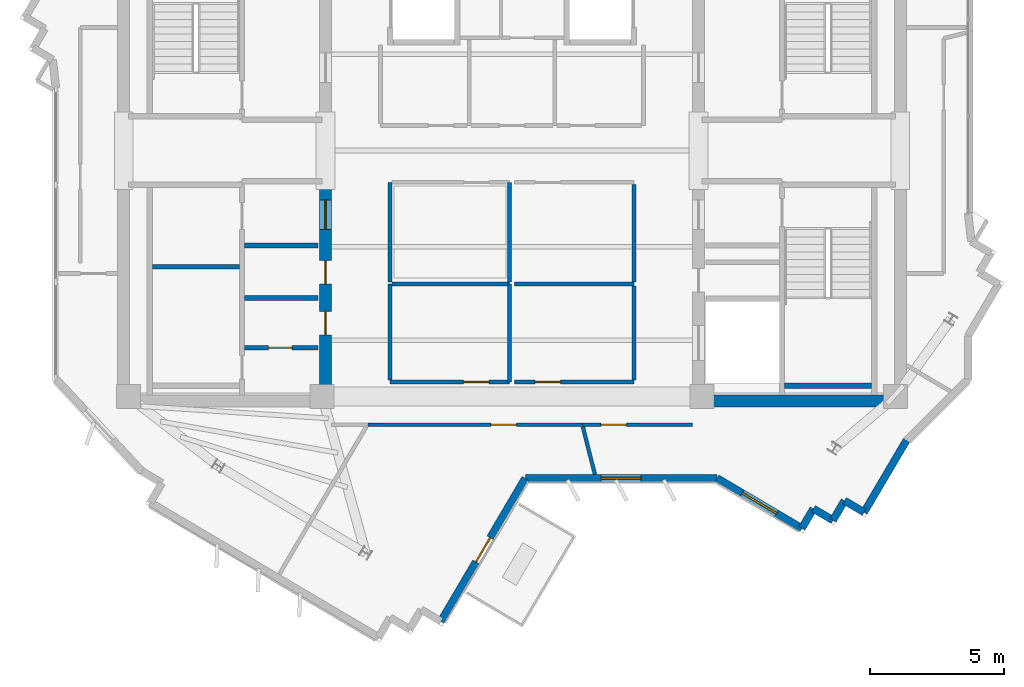
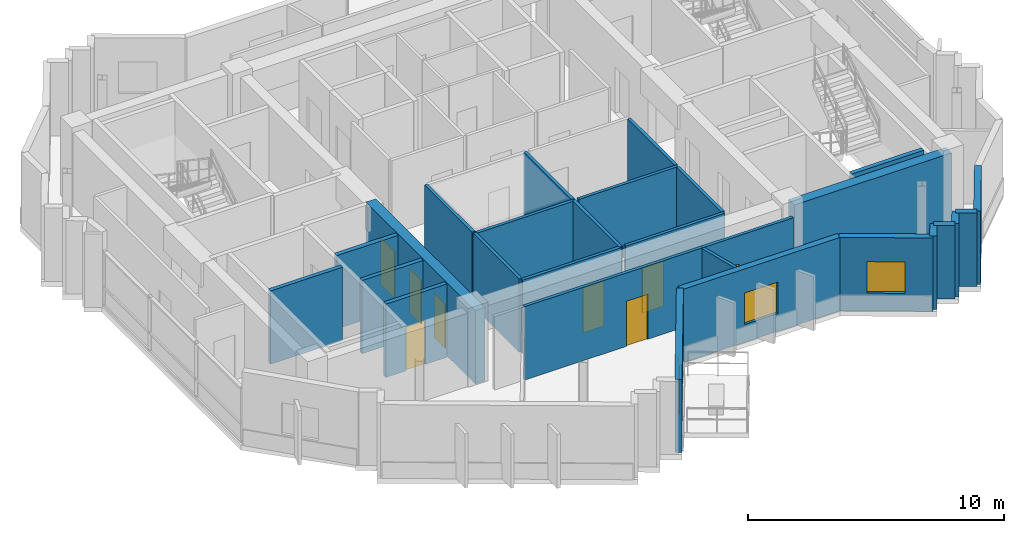
# One storey, part 4 of 10: 28 walls, 9 doors, 2 windows, 11 openings.
"""IFC4 building model written with IfcOpenShell, lengths in metres."""

from ifc_helpers import new_model, si_unit, direction, frame, frame_2d, origin, place, context, subcontext, project, spatial, rectangle, extrude, source, transform, mapped, material, layer, layer_set, type_object, element, fill, save


model = new_model("IFC4")

# Units and contexts
model_context = context("Model", 3, precision=1e-05, world=origin(), true_north=direction((0.0, 1.0)))
body_context = subcontext(model_context, "Body", "Model", "MODEL_VIEW")
ifc_project = project(units=[si_unit("LENGTHUNIT", "METRE"), si_unit("AREAUNIT", "SQUARE_METRE"), si_unit("VOLUMEUNIT", "CUBIC_METRE"), si_unit("PLANEANGLEUNIT", "RADIAN"), si_unit("MASSUNIT", "GRAM", prefix="KILO")], contexts=[model_context])

# Site, building, storey
site_placement = place(None, origin())
site = spatial("IfcSite", under=ifc_project, at=site_placement, CompositionType="ELEMENT")
building_placement = place(site_placement, origin())
building = spatial("IfcBuilding", under=site, at=building_placement, Name="Zahravan Cultural Tower", CompositionType="ELEMENT")
storey_placement = place(building_placement, frame((0.0, 0.0, 346.050048828125)))
storey = spatial("IfcBuildingStorey", under=building, at=storey_placement, Name="L84", CompositionType="ELEMENT", Elevation=346.050048828125)

# Wall, openings, doors
ifc_material_1 = material(Name="Concrete C50/60", Category="concrete")
ifc_layer_1 = layer(ifc_material_1, 0.449951171875)
ifc_layer_set_1 = layer_set([ifc_layer_1], Name="Concrete C50/60")
wall_type_1 = type_object("IfcWallType", Name="CW-SHEAR-450-C50", PredefinedType="SHEAR", material=ifc_layer_set_1)
wall_1_placement = place(storey_placement, frame((29.02490234375, 17.39990234375, 0.0), z_axis=(0.0, 0.0, 1.0), x_axis=(0.0, 1.0, 0.0)))
wall_1 = element("IfcWall", 1, at=wall_1_placement, inside=storey, type_object=wall_type_1, Name="L84 Core Shear Wall CW-W-ES-L84", PredefinedType="SHEAR", context=body_context, shape_type="SweptSolid", body=[
    extrude(rectangle(XDim=8.550048828125, YDim=0.449951171875, at=frame_2d((4.27490234375, 0.0))), origin(), (0.0, 0.0, 1.0), 3.5),
])
opening_1_placement = place(wall_1_placement, frame((6.64990234375, 0.0, 0.0)))
opening_1 = element("IfcOpeningElement", 2, at=opening_1_placement, cuts=wall_1, Name="Opening D-L84-08", PredefinedType="OPENING", context=body_context, shape_type="SweptSolid", body=[
    extrude(rectangle(XDim=1.10009765625, YDim=2.199951171875, at=frame_2d((0.550048828125, 1.10009765625))), frame((0.0, 0.23486328125, 0.0), z_axis=(0.0, -1.0, 0.0), x_axis=(1.0, 0.0, 0.0)), (0.0, 0.0, 1.0), 0.469970703125),
])
opening_2_placement = place(wall_1_placement, frame((2.699951171875, 0.0, 0.0)))
opening_2 = element("IfcOpeningElement", 3, at=opening_2_placement, cuts=wall_1, Name="Opening D-L84-11", PredefinedType="OPENING", context=body_context, shape_type="SweptSolid", body=[
    extrude(rectangle(XDim=0.8798828125, YDim=2.10009765625, at=frame_2d((0.43994140625, 1.050048828125))), frame((0.0, 0.23486328125, 0.0), z_axis=(0.0, -1.0, 0.0), x_axis=(1.0, 0.0, 0.0)), (0.0, 0.0, 1.0), 0.469970703125),
])
opening_3_placement = place(wall_1_placement, frame((4.60009765625, 0.0, 0.0)))
opening_3 = element("IfcOpeningElement", 4, at=opening_3_placement, cuts=wall_1, Name="Opening D-L84-12", PredefinedType="OPENING", context=body_context, shape_type="SweptSolid", body=[
    extrude(rectangle(XDim=0.8798828125, YDim=2.10009765625, at=frame_2d((0.43994140625, 1.050048828125))), frame((0.0, 0.23486328125, 0.0), z_axis=(0.0, -1.0, 0.0), x_axis=(1.0, 0.0, 0.0)), (0.0, 0.0, 1.0), 0.469970703125),
])
ifc_material_2 = material(Name="Steel ASTM A572 Grade 50", Category="steel")
door_type_1 = type_object("IfcDoorType", Name="DR-LOBBY-1100", OperationType="NOTDEFINED", PredefinedType="DOOR", material=ifc_material_2)
shared_shape_1 = source(origin(), body_context, "Body", "SweptSolid", [
    extrude(rectangle(XDim=1.10009765625, YDim=2.199951171875, at=frame_2d((0.550048828125, 1.10009765625))), frame((0.0, 0.02490234375, 0.0), z_axis=(0.0, -1.0, 0.0), x_axis=(1.0, 0.0, 0.0)), (0.0, 0.0, 1.0), 0.050048828125),
])
door_1_placement = place(opening_1_placement, origin())
door_1 = element("IfcDoor", 5, at=door_1_placement, inside=storey, type_object=door_type_1, Name="L84 Door D-L84-08", OperationType="SINGLE_SWING_RIGHT", OverallHeight=2.199951171875, OverallWidth=1.10009765625, PredefinedType="DOOR", context=body_context, shape_type="MappedRepresentation", body=[
    mapped(shared_shape_1, transform((0.0, 0.0, 0.0), x_axis=(1.0, 0.0, 0.0), y_axis=(0.0, 1.0, 0.0), z_axis=(0.0, 0.0, 1.0), scale=1.0)),
])
fill(opening_1, door_1)
door_type_2 = type_object("IfcDoorType", Name="DR-SVC-880", OperationType="NOTDEFINED", PredefinedType="DOOR", material=ifc_material_2)
shared_shape_2 = source(origin(), body_context, "Body", "SweptSolid", [
    extrude(rectangle(XDim=0.8798828125, YDim=2.10009765625, at=frame_2d((0.43994140625, 1.050048828125))), frame((0.0, 0.02490234375, 0.0), z_axis=(0.0, -1.0, 0.0), x_axis=(1.0, 0.0, 0.0)), (0.0, 0.0, 1.0), 0.050048828125),
])
door_2_placement = place(opening_2_placement, origin())
door_2 = element("IfcDoor", 6, at=door_2_placement, inside=storey, type_object=door_type_2, Name="L84 Door D-L84-11", OperationType="SINGLE_SWING_LEFT", OverallHeight=2.10009765625, OverallWidth=0.8798828125, PredefinedType="DOOR", context=body_context, shape_type="MappedRepresentation", body=[
    mapped(shared_shape_2, transform((0.0, 0.0, 0.0), x_axis=(1.0, 0.0, 0.0), y_axis=(0.0, 1.0, 0.0), z_axis=(0.0, 0.0, 1.0), scale=1.0)),
])
fill(opening_2, door_2)
door_3_placement = place(opening_3_placement, origin())
door_3 = element("IfcDoor", 7, at=door_3_placement, inside=storey, type_object=door_type_2, Name="L84 Door D-L84-12", OperationType="SINGLE_SWING_RIGHT", OverallHeight=2.10009765625, OverallWidth=0.8798828125, PredefinedType="DOOR", context=body_context, shape_type="MappedRepresentation", body=[
    mapped(shared_shape_2, transform((0.0, 0.0, 0.0), x_axis=(1.0, 0.0, 0.0), y_axis=(0.0, 1.0, 0.0), z_axis=(0.0, 0.0, 1.0), scale=1.0)),
])
fill(opening_3, door_3)

# Wall, opening, window
ifc_material_3 = material(Name="Precast concrete C40/50", Category="concrete")
ifc_layer_2 = layer(ifc_material_3, 0.280029296875)
ifc_layer_set_2 = layer_set([ifc_layer_2], Name="Precast concrete C40/50")
wall_type_2 = type_object("IfcWallType", Name="EW-TC-280", PredefinedType="SOLIDWALL", material=ifc_layer_set_2)
wall_2_placement = place(storey_placement, frame((46.841552734375, 12.867431640625, 0.0), z_axis=(0.0, 0.0, 1.0), x_axis=(-0.861166561994, 0.508322882137, 0.0)))
wall_2 = element("IfcWall", 8, at=wall_2_placement, inside=storey, type_object=wall_type_2, Name="L84 Exterior Masonry Frame Wall 22", PredefinedType="SOLIDWALL", context=body_context, shape_type="SweptSolid", body=[
    extrude(rectangle(XDim=3.683837890625, YDim=0.280029296875, at=frame_2d((1.841796875, 0.0))), origin(), (0.0, 0.0, 1.0), 3.5),
])
opening_4_placement = place(wall_2_placement, frame((1.092041015625, 0.0, 0.85009765625)))
opening_4 = element("IfcOpeningElement", 9, at=opening_4_placement, cuts=wall_2, Name="Opening WN-03", PredefinedType="OPENING", context=body_context, shape_type="SweptSolid", body=[
    extrude(rectangle(XDim=1.5, YDim=1.5, at=frame_2d((0.75, 0.75))), frame((0.0, 0.14990234375, 0.0), z_axis=(0.0, -1.0, 0.0), x_axis=(1.0, 0.0, 0.0)), (0.0, 0.0, 1.0), 0.300048828125),
])
ifc_material_4 = material(Name="Low-E solar-control double glazing", Category="glass")
window_type = type_object("IfcWindowType", Name="WN-REC-1500X1500", PartitioningType="SINGLE_PANEL", PredefinedType="WINDOW", material=ifc_material_4)
shared_shape_3 = source(origin(), body_context, "Body", "SweptSolid", [
    extrude(rectangle(XDim=1.5, YDim=1.5, at=frame_2d((0.75, 0.75))), frame((0.0, 0.030029296875, 0.0), z_axis=(0.0, -1.0, 0.0), x_axis=(1.0, 0.0, 0.0)), (0.0, 0.0, 1.0), 0.06005859375),
])
window_1_placement = place(opening_4_placement, origin())
window_1 = element("IfcWindow", 10, at=window_1_placement, inside=storey, type_object=window_type, Name="L84 Recessed Solar Window 04", OverallHeight=1.5, OverallWidth=1.5, PartitioningType="SINGLE_PANEL", PredefinedType="WINDOW", context=body_context, shape_type="MappedRepresentation", body=[
    mapped(shared_shape_3, transform((0.0, 0.0, 0.0), x_axis=(1.0, 0.0, 0.0), y_axis=(0.0, 1.0, 0.0), z_axis=(0.0, 0.0, 1.0), scale=1.0)),
])
fill(opening_4, window_1)

wall_3_placement = place(storey_placement, frame((43.669189453125, 14.739990234375, 0.0), z_axis=(0.0, 0.0, 1.0), x_axis=(-1.0, 0.0, 0.0)))
wall_3 = element("IfcWall", 11, at=wall_3_placement, inside=storey, type_object=wall_type_2, Name="L84 Exterior Masonry Frame Wall 23", PredefinedType="SOLIDWALL", context=body_context, shape_type="SweptSolid", body=[
    extrude(rectangle(XDim=7.171875, YDim=0.280029296875, at=frame_2d((3.5859375, 0.0))), origin(), (0.0, 0.0, 1.0), 3.5),
])
opening_5_placement = place(wall_3_placement, frame((2.8359375, 0.0, 0.85009765625)))
opening_5 = element("IfcOpeningElement", 12, at=opening_5_placement, cuts=wall_3, Name="Opening WN-03", PredefinedType="OPENING", context=body_context, shape_type="SweptSolid", body=[
    extrude(rectangle(XDim=1.5, YDim=1.5, at=frame_2d((0.75, 0.75))), frame((0.0, 0.14990234375, 0.0), z_axis=(0.0, -1.0, 0.0), x_axis=(1.0, 0.0, 0.0)), (0.0, 0.0, 1.0), 0.300048828125),
])
window_2_placement = place(opening_5_placement, origin())
window_2 = element("IfcWindow", 13, at=window_2_placement, inside=storey, type_object=window_type, Name="L84 Recessed Solar Window 05", OverallHeight=1.5, OverallWidth=1.5, PartitioningType="SINGLE_PANEL", PredefinedType="WINDOW", context=body_context, shape_type="MappedRepresentation", body=[
    mapped(shared_shape_3, transform((0.0, 0.0, 0.0), x_axis=(1.0, 0.0, 0.0), y_axis=(0.0, 1.0, 0.0), z_axis=(0.0, 0.0, 1.0), scale=1.0)),
])
fill(opening_5, window_2)

# Wall, opening, door
wall_4_placement = place(storey_placement, frame((36.497314453125, 14.739990234375, 0.0), z_axis=(0.0, 0.0, 1.0), x_axis=(-0.508266003384, -0.861200133421, 0.0)))
wall_4 = element("IfcWall", 14, at=wall_4_placement, inside=storey, type_object=wall_type_2, Name="L84 Exterior Masonry Frame Wall 24", PredefinedType="SOLIDWALL", context=body_context, shape_type="SweptSolid", body=[
    extrude(rectangle(XDim=6.214599609375, YDim=0.280029296875, at=frame_2d((3.107421875, 0.0))), origin(), (0.0, 0.0, 1.0), 3.5),
])
opening_6_placement = place(wall_4_placement, frame((2.58203125, 0.0, 0.0)))
opening_6 = element("IfcOpeningElement", 15, at=opening_6_placement, cuts=wall_4, Name="Opening D-L84-TR-SW", PredefinedType="OPENING", context=body_context, shape_type="SweptSolid", body=[
    extrude(rectangle(XDim=1.050048828125, YDim=2.14990234375, at=frame_2d((0.52490234375, 1.074951171875))), frame((0.0, 0.14990234375, 0.0), z_axis=(0.0, -1.0, 0.0), x_axis=(1.0, 0.0, 0.0)), (0.0, 0.0, 1.0), 0.300048828125),
])
ifc_material_5 = material(Name="Anodised bronze-aluminium mullion", Category="aluminium")
door_type_3 = type_object("IfcDoorType", Name="DR-TERR-1050", OperationType="NOTDEFINED", PredefinedType="DOOR", material=ifc_material_5)
shared_shape_4 = source(origin(), body_context, "Body", "SweptSolid", [
    extrude(rectangle(XDim=1.050048828125, YDim=2.14990234375, at=frame_2d((0.52490234375, 1.074951171875))), frame((0.0, 0.02490234375, 0.0), z_axis=(0.0, -1.0, 0.0), x_axis=(1.0, 0.0, 0.0)), (0.0, 0.0, 1.0), 0.050048828125),
])
door_4_placement = place(opening_6_placement, origin())
door_4 = element("IfcDoor", 16, at=door_4_placement, inside=storey, type_object=door_type_3, Name="L84 Terrace Access Door SW", OperationType="SINGLE_SWING_LEFT", OverallHeight=2.14990234375, OverallWidth=1.050048828125, PredefinedType="DOOR", context=body_context, shape_type="MappedRepresentation", body=[
    mapped(shared_shape_4, transform((0.0, 0.0, 0.0), x_axis=(1.0, 0.0, 0.0), y_axis=(0.0, 1.0, 0.0), z_axis=(0.0, 0.0, 1.0), scale=1.0)),
])
fill(opening_6, door_4)

ifc_material_6 = material(Name="Gypsum plasterboard partition")
ifc_layer_3 = layer(ifc_material_6, 0.179931640625)
ifc_layer_set_3 = layer_set([ifc_layer_3], Name="Gypsum plasterboard partition")
wall_type_3 = type_object("IfcWallType", Name="W-COMP-180", PredefinedType="PARTITIONING", material=ifc_layer_set_3)
wall_5_placement = place(storey_placement, frame((26.0, 19.6201171875, 0.0), z_axis=(0.0, 0.0, 1.0), x_axis=(1.0, 0.0, 0.0)))
wall_5 = element("IfcWall", 17, at=wall_5_placement, inside=storey, type_object=wall_type_3, Name="L84 Interior Wall 027", PredefinedType="PARTITIONING", context=body_context, shape_type="SweptSolid", body=[
    extrude(rectangle(XDim=2.75, YDim=0.179931640625, at=frame_2d((1.375, 0.0))), origin(), (0.0, 0.0, 1.0), 3.5),
])
opening_7_placement = place(wall_5_placement, frame((0.89990234375, 0.0, 0.0)))
opening_7 = element("IfcOpeningElement", 18, at=opening_7_placement, cuts=wall_5, Name="Opening D-L84-10", PredefinedType="OPENING", context=body_context, shape_type="SweptSolid", body=[
    extrude(rectangle(XDim=0.8798828125, YDim=2.10009765625, at=frame_2d((0.43994140625, 1.050048828125))), frame((0.0, 0.099853515625, 0.0), z_axis=(0.0, -1.0, 0.0), x_axis=(1.0, 0.0, 0.0)), (0.0, 0.0, 1.0), 0.199951171875),
])
door_5_placement = place(opening_7_placement, origin())
door_5 = element("IfcDoor", 19, at=door_5_placement, inside=storey, type_object=door_type_2, Name="L84 Door D-L84-10", OperationType="SINGLE_SWING_RIGHT", OverallHeight=2.10009765625, OverallWidth=0.8798828125, PredefinedType="DOOR", context=body_context, shape_type="MappedRepresentation", body=[
    mapped(shared_shape_2, transform((0.0, 0.0, 0.0), x_axis=(1.0, 0.0, 0.0), y_axis=(0.0, 1.0, 0.0), z_axis=(0.0, 0.0, 1.0), scale=1.0)),
])
fill(opening_7, door_5)

ifc_layer_4 = layer(ifc_material_6, 0.139892578125)
ifc_layer_set_4 = layer_set([ifc_layer_4], Name="Gypsum plasterboard partition")
wall_type_4 = type_object("IfcWallType", Name="W-PART-140", PredefinedType="PARTITIONING", material=ifc_layer_set_4)
wall_6_placement = place(storey_placement, frame((35.909912109375, 18.340087890625, 0.0), z_axis=(0.0, 0.0, 1.0), x_axis=(-1.0, 0.0, 0.0)))
wall_6 = element("IfcWall", 20, at=wall_6_placement, inside=storey, type_object=wall_type_4, Name="L84 Interior Wall 058", PredefinedType="PARTITIONING", context=body_context, shape_type="SweptSolid", body=[
    extrude(rectangle(XDim=4.469970703125, YDim=0.139892578125, at=frame_2d((2.23486328125, 0.0))), origin(), (0.0, 0.0, 1.0), 3.5),
])
opening_8_placement = place(wall_6_placement, frame((0.7744140625, 0.0, 0.0)))
opening_8 = element("IfcOpeningElement", 21, at=opening_8_placement, cuts=wall_6, Name="Opening D-L84-14", PredefinedType="OPENING", context=body_context, shape_type="SweptSolid", body=[
    extrude(rectangle(XDim=0.949951171875, YDim=2.14990234375, at=frame_2d((0.47509765625, 1.074951171875))), frame((0.0, 0.079833984375, 0.0), z_axis=(0.0, -1.0, 0.0), x_axis=(1.0, 0.0, 0.0)), (0.0, 0.0, 1.0), 0.159912109375),
])
door_type_4 = type_object("IfcDoorType", Name="DR-ROOM-950", OperationType="NOTDEFINED", PredefinedType="DOOR", material=ifc_material_5)
shared_shape_5 = source(origin(), body_context, "Body", "SweptSolid", [
    extrude(rectangle(XDim=0.949951171875, YDim=2.14990234375, at=frame_2d((0.47509765625, 1.074951171875))), frame((0.0, 0.02490234375, 0.0), z_axis=(0.0, -1.0, 0.0), x_axis=(1.0, 0.0, 0.0)), (0.0, 0.0, 1.0), 0.050048828125),
])
door_6_placement = place(opening_8_placement, origin())
door_6 = element("IfcDoor", 22, at=door_6_placement, inside=storey, type_object=door_type_4, Name="L84 Door D-L84-14", OperationType="SINGLE_SWING_RIGHT", OverallHeight=2.14990234375, OverallWidth=0.949951171875, PredefinedType="DOOR", context=body_context, shape_type="MappedRepresentation", body=[
    mapped(shared_shape_5, transform((0.0, 0.0, 0.0), x_axis=(1.0, 0.0, 0.0), y_axis=(0.0, 1.0, 0.0), z_axis=(0.0, 0.0, 1.0), scale=1.0)),
])
fill(opening_8, door_6)

wall_7_placement = place(storey_placement, frame((40.56005859375, 18.340087890625, 0.0), z_axis=(0.0, 0.0, 1.0), x_axis=(-1.0, 0.0, 0.0)))
wall_7 = element("IfcWall", 23, at=wall_7_placement, inside=storey, type_object=wall_type_4, Name="L84 Interior Wall 062", PredefinedType="PARTITIONING", context=body_context, shape_type="SweptSolid", body=[
    extrude(rectangle(XDim=4.469970703125, YDim=0.139892578125, at=frame_2d((2.23486328125, 0.0))), origin(), (0.0, 0.0, 1.0), 3.5),
])
opening_9_placement = place(wall_7_placement, frame((2.74560546875, 0.0, 0.0)))
opening_9 = element("IfcOpeningElement", 24, at=opening_9_placement, cuts=wall_7, Name="Opening D-L84-16", PredefinedType="OPENING", context=body_context, shape_type="SweptSolid", body=[
    extrude(rectangle(XDim=0.949951171875, YDim=2.14990234375, at=frame_2d((0.47509765625, 1.074951171875))), frame((0.0, 0.079833984375, 0.0), z_axis=(0.0, -1.0, 0.0), x_axis=(1.0, 0.0, 0.0)), (0.0, 0.0, 1.0), 0.159912109375),
])
door_7_placement = place(opening_9_placement, origin())
door_7 = element("IfcDoor", 25, at=door_7_placement, inside=storey, type_object=door_type_4, Name="L84 Door D-L84-16", OperationType="SINGLE_SWING_RIGHT", OverallHeight=2.14990234375, OverallWidth=0.949951171875, PredefinedType="DOOR", context=body_context, shape_type="MappedRepresentation", body=[
    mapped(shared_shape_5, transform((0.0, 0.0, 0.0), x_axis=(1.0, 0.0, 0.0), y_axis=(0.0, 1.0, 0.0), z_axis=(0.0, 0.0, 1.0), scale=1.0)),
])
fill(opening_9, door_7)

wall_8_placement = place(storey_placement, frame((38.632080078125, 16.739990234375, 0.0), z_axis=(0.0, 0.0, 1.0), x_axis=(1.0, 0.0, 0.0)))
wall_8 = element("IfcWall", 26, at=wall_8_placement, inside=storey, type_object=wall_type_4, Name="L84 Interior Wall 076", PredefinedType="PARTITIONING", context=body_context, shape_type="SweptSolid", body=[
    extrude(rectangle(XDim=4.112060546875, YDim=0.139892578125, at=frame_2d((2.05615234375, 0.0))), origin(), (0.0, 0.0, 1.0), 3.5),
])
opening_10_placement = place(wall_8_placement, frame((0.695556640625, 0.0, 0.0)))
opening_10 = element("IfcOpeningElement", 27, at=opening_10_placement, cuts=wall_8, Name="Opening D-L84-27", PredefinedType="OPENING", context=body_context, shape_type="SweptSolid", body=[
    extrude(rectangle(XDim=0.949951171875, YDim=2.14990234375, at=frame_2d((0.47509765625, 1.074951171875))), frame((0.0, 0.079833984375, 0.0), z_axis=(0.0, -1.0, 0.0), x_axis=(1.0, 0.0, 0.0)), (0.0, 0.0, 1.0), 0.159912109375),
])
door_8_placement = place(opening_10_placement, origin())
door_8 = element("IfcDoor", 28, at=door_8_placement, inside=storey, type_object=door_type_4, Name="L84 Door D-L84-27", OperationType="SINGLE_SWING_LEFT", OverallHeight=2.14990234375, OverallWidth=0.949951171875, PredefinedType="DOOR", context=body_context, shape_type="MappedRepresentation", body=[
    mapped(shared_shape_5, transform((0.0, 0.0, 0.0), x_axis=(1.0, 0.0, 0.0), y_axis=(0.0, 1.0, 0.0), z_axis=(0.0, 0.0, 1.0), scale=1.0)),
])
fill(opening_10, door_8)

wall_9_placement = place(storey_placement, frame((30.617919921875, 16.739990234375, 0.0), z_axis=(0.0, 0.0, 1.0), x_axis=(1.0, 0.0, 0.0)))
wall_9 = element("IfcWall", 29, at=wall_9_placement, inside=storey, type_object=wall_type_4, Name="L84 Interior Wall 081", PredefinedType="PARTITIONING", context=body_context, shape_type="SweptSolid", body=[
    extrude(rectangle(XDim=8.01416015625, YDim=0.139892578125, at=frame_2d((4.007080078125, 0.0))), origin(), (0.0, 0.0, 1.0), 3.5),
])
opening_11_placement = place(wall_9_placement, frame((4.591796875, 0.0, 0.0)))
opening_11 = element("IfcOpeningElement", 30, at=opening_11_placement, cuts=wall_9, Name="Opening D-L84-26", PredefinedType="OPENING", context=body_context, shape_type="SweptSolid", body=[
    extrude(rectangle(XDim=0.949951171875, YDim=2.14990234375, at=frame_2d((0.47509765625, 1.074951171875))), frame((0.0, 0.079833984375, 0.0), z_axis=(0.0, -1.0, 0.0), x_axis=(1.0, 0.0, 0.0)), (0.0, 0.0, 1.0), 0.159912109375),
])
door_9_placement = place(opening_11_placement, origin())
door_9 = element("IfcDoor", 31, at=door_9_placement, inside=storey, type_object=door_type_4, Name="L84 Door D-L84-26", OperationType="SINGLE_SWING_RIGHT", OverallHeight=2.14990234375, OverallWidth=0.949951171875, PredefinedType="DOOR", context=body_context, shape_type="MappedRepresentation", body=[
    mapped(shared_shape_5, transform((0.0, 0.0, 0.0), x_axis=(1.0, 0.0, 0.0), y_axis=(0.0, 1.0, 0.0), z_axis=(0.0, 0.0, 1.0), scale=1.0)),
])
fill(opening_11, door_9)

# Walls
shared_shape_6 = source(origin(), body_context, "Body", "SweptSolid", [
    extrude(rectangle(XDim=7.10009765625, YDim=0.449951171875, at=frame_2d((3.550048828125, 0.0))), origin(), (0.0, 0.0, 1.0), 3.5),
])
wall_10_placement = place(storey_placement, frame((43.199951171875, 17.625, 0.0), z_axis=(0.0, 0.0, 1.0), x_axis=(1.0, 0.0, 0.0)))
element("IfcWall", 32, at=wall_10_placement, inside=storey, type_object=wall_type_1, Name="L84 Core Shear Wall CW-E-S-L84", PredefinedType="SHEAR", context=body_context, shape_type="MappedRepresentation", body=[
    mapped(shared_shape_6, transform((0.0, 0.0, 0.0), x_axis=(1.0, 0.0, 0.0), y_axis=(0.0, 1.0, 0.0), z_axis=(0.0, 0.0, 1.0), scale=1.0)),
])
shared_shape_7 = source(origin(), body_context, "Body", "SweptSolid", [
    extrude(rectangle(XDim=0.85009765625, YDim=0.280029296875, at=frame_2d((0.425048828125, 0.0))), origin(), (0.0, 0.0, 1.0), 3.5),
])
for number, where, z_axis, x_axis, name in (
    (33, (49.169677734375, 13.46728515625, 0.0), (0.0, 0.0, 1.0), (-0.861120885632, 0.508400256027, 0.0), "L84 Exterior Masonry Frame Wall 18"),
    (34, (48.437744140625, 13.8994140625, 0.0), (0.0, 0.0, 1.0), (-0.508400256027, -0.861120885632, 0.0), "L84 Exterior Masonry Frame Wall 19"),
    (35, (48.005615234375, 13.16748046875, 0.0), (0.0, 0.0, 1.0), (-0.861120885632, 0.508400256027, 0.0), "L84 Exterior Masonry Frame Wall 20"),
    (36, (47.273681640625, 13.599609375, 0.0), (0.0, 0.0, 1.0), (-0.508274533332, -0.861195099131, 0.0), "L84 Exterior Masonry Frame Wall 21"),
):
    element("IfcWall", number, at=place(storey_placement, frame(where, z_axis=z_axis, x_axis=x_axis)), inside=storey, type_object=wall_type_2, Name=name, PredefinedType="SOLIDWALL", context=body_context, shape_type="MappedRepresentation", body=[
        mapped(shared_shape_7, transform((0.0, 0.0, 0.0), x_axis=(1.0, 0.0, 0.0), y_axis=(0.0, 1.0, 0.0), z_axis=(0.0, 0.0, 1.0), scale=1.0)),
    ])
shared_shape_8 = source(origin(), body_context, "Body", "SweptSolid", [
    extrude(rectangle(XDim=3.117919921875, YDim=0.280029296875, at=frame_2d((1.55908203125, 0.0))), origin(), (0.0, 0.0, 1.0), 3.5),
])
wall_11_placement = place(storey_placement, frame((50.75439453125, 16.15234375, 0.0), z_axis=(0.0, 0.0, 1.0), x_axis=(-0.508275482209, -0.861194539106, 0.0)))
element("IfcWall", 37, at=wall_11_placement, inside=storey, type_object=wall_type_2, Name="L84 Exterior Masonry Frame Wall 17", PredefinedType="SOLIDWALL", context=body_context, shape_type="MappedRepresentation", body=[
    mapped(shared_shape_8, transform((0.0, 0.0, 0.0), x_axis=(1.0, 0.0, 0.0), y_axis=(0.0, 1.0, 0.0), z_axis=(0.0, 0.0, 1.0), scale=1.0)),
])
ifc_material_7 = material(Name="Concrete C45/55", Category="concrete")
ifc_layer_5 = layer(ifc_material_7, 0.199951171875)
ifc_layer_set_5 = layer_set([ifc_layer_5], Name="Concrete C45/55")
wall_type_5 = type_object("IfcWallType", Name="W-SHAFT-200", PredefinedType="SOLIDWALL", material=ifc_layer_set_5)
shared_shape_9 = source(origin(), body_context, "Body", "SweptSolid", [
    extrude(rectangle(XDim=3.25, YDim=0.199951171875, at=frame_2d((1.625, 0.0))), origin(), (0.0, 0.0, 1.0), 3.5),
])
wall_12_placement = place(storey_placement, frame((46.199951171875, 18.199951171875, 0.0), z_axis=(0.0, 0.0, 1.0), x_axis=(1.0, 0.0, 0.0)))
element("IfcWall", 38, at=wall_12_placement, inside=storey, type_object=wall_type_5, Name="L84 Interior Wall 020", PredefinedType="SOLIDWALL", context=body_context, shape_type="MappedRepresentation", body=[
    mapped(shared_shape_9, transform((0.0, 0.0, 0.0), x_axis=(1.0, 0.0, 0.0), y_axis=(0.0, 1.0, 0.0), z_axis=(0.0, 0.0, 1.0), scale=1.0)),
])
shared_shape_10 = source(origin(), body_context, "Body", "SweptSolid", [
    extrude(rectangle(XDim=3.25, YDim=0.179931640625, at=frame_2d((1.625, 0.0))), origin(), (0.0, 0.0, 1.0), 3.5),
])
wall_13_placement = place(storey_placement, frame((22.550048828125, 22.64990234375, 0.0), z_axis=(0.0, 0.0, 1.0), x_axis=(1.0, 0.0, 0.0)))
element("IfcWall", 39, at=wall_13_placement, inside=storey, type_object=wall_type_3, Name="L84 Interior Wall 021", PredefinedType="PARTITIONING", context=body_context, shape_type="MappedRepresentation", body=[
    mapped(shared_shape_10, transform((0.0, 0.0, 0.0), x_axis=(1.0, 0.0, 0.0), y_axis=(0.0, 1.0, 0.0), z_axis=(0.0, 0.0, 1.0), scale=1.0)),
])
shared_shape_11 = source(origin(), body_context, "Body", "SweptSolid", [
    extrude(rectangle(XDim=2.75, YDim=0.199951171875, at=frame_2d((1.375, 0.0))), origin(), (0.0, 0.0, 1.0), 3.5),
])
wall_14_placement = place(storey_placement, frame((26.0, 23.449951171875, 0.0), z_axis=(0.0, 0.0, 1.0), x_axis=(1.0, 0.0, 0.0)))
element("IfcWall", 40, at=wall_14_placement, inside=storey, type_object=wall_type_5, Name="L84 Interior Wall 024", PredefinedType="SOLIDWALL", context=body_context, shape_type="MappedRepresentation", body=[
    mapped(shared_shape_11, transform((0.0, 0.0, 0.0), x_axis=(1.0, 0.0, 0.0), y_axis=(0.0, 1.0, 0.0), z_axis=(0.0, 0.0, 1.0), scale=1.0)),
])
shared_shape_12 = source(origin(), body_context, "Body", "SweptSolid", [
    extrude(rectangle(XDim=2.75, YDim=0.179931640625, at=frame_2d((1.375, 0.0))), origin(), (0.0, 0.0, 1.0), 3.5),
])
wall_15_placement = place(storey_placement, frame((26.0, 21.47998046875, 0.0), z_axis=(0.0, 0.0, 1.0), x_axis=(1.0, 0.0, 0.0)))
element("IfcWall", 41, at=wall_15_placement, inside=storey, type_object=wall_type_3, Name="L84 Interior Wall 028", PredefinedType="PARTITIONING", context=body_context, shape_type="MappedRepresentation", body=[
    mapped(shared_shape_12, transform((0.0, 0.0, 0.0), x_axis=(1.0, 0.0, 0.0), y_axis=(0.0, 1.0, 0.0), z_axis=(0.0, 0.0, 1.0), scale=1.0)),
])
shared_shape_13 = source(origin(), body_context, "Body", "SweptSolid", [
    extrude(rectangle(XDim=3.594970703125, YDim=0.139892578125, at=frame_2d((1.79736328125, 0.0))), origin(), (0.0, 0.0, 1.0), 3.5),
])
wall_16_placement = place(storey_placement, frame((31.43994140625, 18.4150390625, 0.0), z_axis=(0.0, 0.0, 1.0), x_axis=(0.0, 1.0, 0.0)))
element("IfcWall", 42, at=wall_16_placement, inside=storey, type_object=wall_type_4, Name="L84 Interior Wall 059", PredefinedType="PARTITIONING", context=body_context, shape_type="MappedRepresentation", body=[
    mapped(shared_shape_13, transform((0.0, 0.0, 0.0), x_axis=(1.0, 0.0, 0.0), y_axis=(0.0, 1.0, 0.0), z_axis=(0.0, 0.0, 1.0), scale=1.0)),
])
shared_shape_14 = source(origin(), body_context, "Body", "SweptSolid", [
    extrude(rectangle(XDim=4.39501953125, YDim=0.139892578125, at=frame_2d((2.197509765625, 0.0))), origin(), (0.0, 0.0, 1.0), 3.5),
])
wall_17_placement = place(storey_placement, frame((31.514892578125, 22.010009765625, 0.0), z_axis=(0.0, 0.0, 1.0), x_axis=(1.0, 0.0, 0.0)))
element("IfcWall", 43, at=wall_17_placement, inside=storey, type_object=wall_type_4, Name="L84 Interior Wall 060", PredefinedType="PARTITIONING", context=body_context, shape_type="MappedRepresentation", body=[
    mapped(shared_shape_14, transform((0.0, 0.0, 0.0), x_axis=(1.0, 0.0, 0.0), y_axis=(0.0, 1.0, 0.0), z_axis=(0.0, 0.0, 1.0), scale=1.0)),
])
shared_shape_15 = source(origin(), body_context, "Body", "SweptSolid", [
    extrude(rectangle(XDim=3.669921875, YDim=0.139892578125, at=frame_2d((1.8349609375, 0.0))), origin(), (0.0, 0.0, 1.0), 3.5),
])
wall_18_placement = place(storey_placement, frame((35.909912109375, 22.010009765625, 0.0), z_axis=(0.0, 0.0, 1.0), x_axis=(0.0, -1.0, 0.0)))
element("IfcWall", 44, at=wall_18_placement, inside=storey, type_object=wall_type_4, Name="L84 Interior Wall 061", PredefinedType="PARTITIONING", context=body_context, shape_type="MappedRepresentation", body=[
    mapped(shared_shape_15, transform((0.0, 0.0, 0.0), x_axis=(1.0, 0.0, 0.0), y_axis=(0.0, 1.0, 0.0), z_axis=(0.0, 0.0, 1.0), scale=1.0)),
])
shared_shape_16 = source(origin(), body_context, "Body", "SweptSolid", [
    extrude(rectangle(XDim=4.469970703125, YDim=0.139892578125, at=frame_2d((2.23486328125, 0.0))), origin(), (0.0, 0.0, 1.0), 3.5),
])
wall_19_placement = place(storey_placement, frame((36.090087890625, 22.010009765625, 0.0), z_axis=(0.0, 0.0, 1.0), x_axis=(1.0, 0.0, 0.0)))
element("IfcWall", 45, at=wall_19_placement, inside=storey, type_object=wall_type_4, Name="L84 Interior Wall 063", PredefinedType="PARTITIONING", context=body_context, shape_type="MappedRepresentation", body=[
    mapped(shared_shape_16, transform((0.0, 0.0, 0.0), x_axis=(1.0, 0.0, 0.0), y_axis=(0.0, 1.0, 0.0), z_axis=(0.0, 0.0, 1.0), scale=1.0)),
])
shared_shape_17 = source(origin(), body_context, "Body", "SweptSolid", [
    extrude(rectangle(XDim=3.52001953125, YDim=0.139892578125, at=frame_2d((1.760009765625, 0.0))), origin(), (0.0, 0.0, 1.0), 3.5),
])
wall_20_placement = place(storey_placement, frame((40.56005859375, 21.93505859375, 0.0), z_axis=(0.0, 0.0, 1.0), x_axis=(0.0, -1.0, 0.0)))
element("IfcWall", 46, at=wall_20_placement, inside=storey, type_object=wall_type_4, Name="L84 Interior Wall 064", PredefinedType="PARTITIONING", context=body_context, shape_type="MappedRepresentation", body=[
    mapped(shared_shape_17, transform((0.0, 0.0, 0.0), x_axis=(1.0, 0.0, 0.0), y_axis=(0.0, 1.0, 0.0), z_axis=(0.0, 0.0, 1.0), scale=1.0)),
])
shared_shape_18 = source(origin(), body_context, "Body", "SweptSolid", [
    extrude(rectangle(XDim=3.719970703125, YDim=0.139892578125, at=frame_2d((1.85986328125, 0.0))), origin(), (0.0, 0.0, 1.0), 3.5),
])
for number, where, z_axis, x_axis, name in (
    (47, (31.43994140625, 22.090087890625, 0.0), (0.0, 0.0, 1.0), (0.0, 1.0, 0.0), "L84 Interior Wall 065"),
    (48, (35.909912109375, 25.81005859375, 0.0), (0.0, 0.0, 1.0), (0.0, -1.0, 0.0), "L84 Interior Wall 067"),
):
    element("IfcWall", number, at=place(storey_placement, frame(where, z_axis=z_axis, x_axis=x_axis)), inside=storey, type_object=wall_type_4, Name=name, PredefinedType="PARTITIONING", context=body_context, shape_type="MappedRepresentation", body=[
        mapped(shared_shape_18, transform((0.0, 0.0, 0.0), x_axis=(1.0, 0.0, 0.0), y_axis=(0.0, 1.0, 0.0), z_axis=(0.0, 0.0, 1.0), scale=1.0)),
    ])
shared_shape_19 = source(origin(), body_context, "Body", "SweptSolid", [
    extrude(rectangle(XDim=3.64501953125, YDim=0.139892578125, at=frame_2d((1.822509765625, 0.0))), origin(), (0.0, 0.0, 1.0), 3.5),
])
wall_21_placement = place(storey_placement, frame((40.56005859375, 25.735107421875, 0.0), z_axis=(0.0, 0.0, 1.0), x_axis=(0.0, -1.0, 0.0)))
element("IfcWall", 49, at=wall_21_placement, inside=storey, type_object=wall_type_4, Name="L84 Interior Wall 069", PredefinedType="PARTITIONING", context=body_context, shape_type="MappedRepresentation", body=[
    mapped(shared_shape_19, transform((0.0, 0.0, 0.0), x_axis=(1.0, 0.0, 0.0), y_axis=(0.0, 1.0, 0.0), z_axis=(0.0, 0.0, 1.0), scale=1.0)),
])
shared_shape_20 = source(origin(), body_context, "Body", "SweptSolid", [
    extrude(rectangle(XDim=1.8359375, YDim=0.139892578125, at=frame_2d((0.91796875, 0.0))), origin(), (0.0, 0.0, 1.0), 3.5),
])
wall_22_placement = place(storey_placement, frame((39.1005859375, 14.885009765625, 0.0), z_axis=(0.0, 0.0, 1.0), x_axis=(-0.24494411221, 0.96953719985, 0.0)))
element("IfcWall", 50, at=wall_22_placement, inside=storey, type_object=wall_type_4, Name="L84 Interior Wall 077", PredefinedType="PARTITIONING", context=body_context, shape_type="MappedRepresentation", body=[
    mapped(shared_shape_20, transform((0.0, 0.0, 0.0), x_axis=(1.0, 0.0, 0.0), y_axis=(0.0, 1.0, 0.0), z_axis=(0.0, 0.0, 1.0), scale=1.0)),
])

save(model, "model.ifc")
